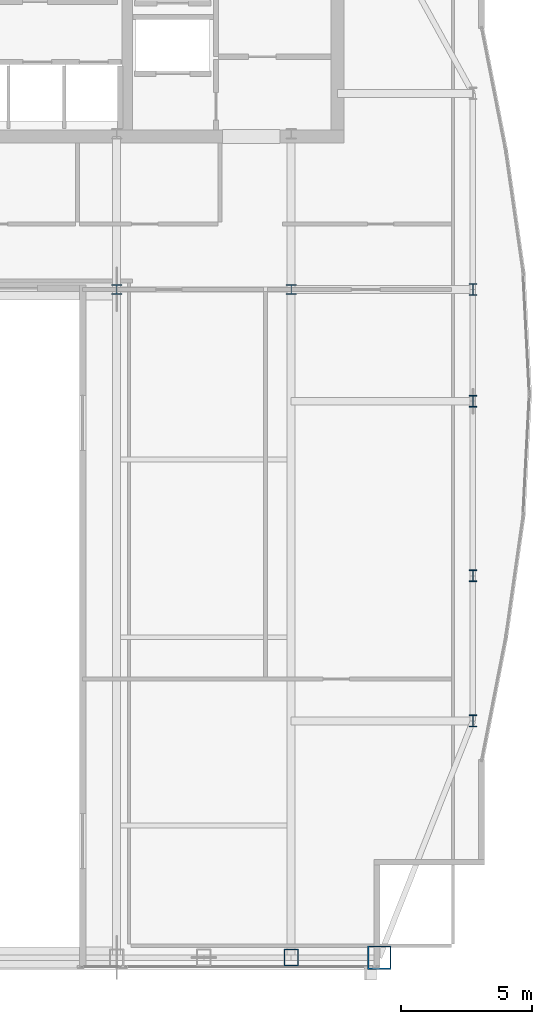
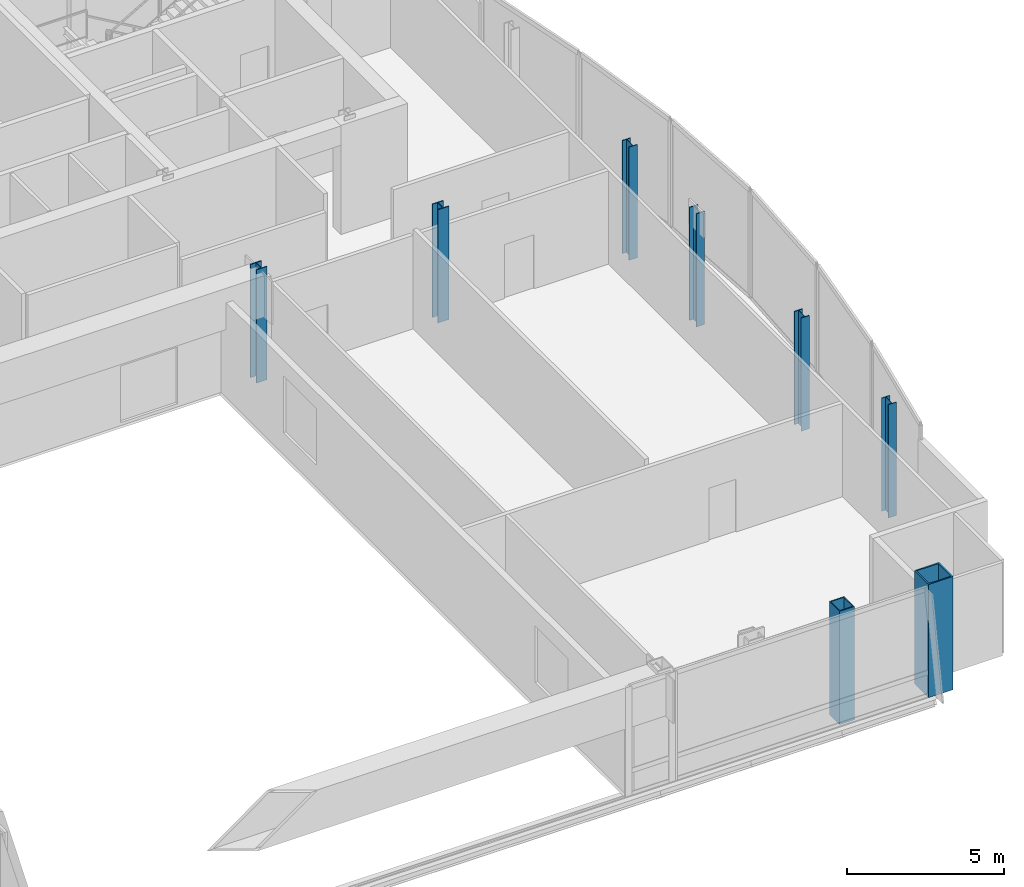
# One storey, part 2 of 27: 8 columns.
"""IFC4 building model written with IfcOpenShell, lengths in metres."""

from ifc_helpers import new_model, si_unit, direction, frame, origin, origin_2d, place, context, subcontext, project, spatial, hollow_rectangle, i_section, extrude, material, material_profile, profile_set, type_object, element, save


model = new_model("IFC4")

# Units and contexts
model_context = context("Model", 3, precision=1e-05, world=origin(), true_north=direction((0.0, 1.0)))
body_context = subcontext(model_context, "Body", "Model", "MODEL_VIEW")
ifc_project = project(units=[si_unit("LENGTHUNIT", "METRE"), si_unit("AREAUNIT", "SQUARE_METRE"), si_unit("VOLUMEUNIT", "CUBIC_METRE"), si_unit("PLANEANGLEUNIT", "RADIAN"), si_unit("MASSUNIT", "GRAM", prefix="KILO")], contexts=[model_context])

# Site, building, storey
site_placement = place(None, origin())
site = spatial("IfcSite", under=ifc_project, at=site_placement, CompositionType="ELEMENT")
building_placement = place(site_placement, origin())
building = spatial("IfcBuilding", under=site, at=building_placement, Name="Khoronbel Lancet Exchange", CompositionType="ELEMENT")
storey_placement = place(building_placement, frame((0.0, 0.0, 310.199951171875)))
storey = spatial("IfcBuildingStorey", under=building, at=storey_placement, Name="L80", CompositionType="ELEMENT", Elevation=310.199951171875)

# Columns
ifc_material_1 = material(Name="Steel S460", Category="steel")
ifc_material_profile_1 = material_profile(ifc_material_1, hollow_rectangle(XDim=0.550048828125, YDim=0.64990234375, WallThickness=0.0400390625, at=origin_2d()), Name="BOX 650x550x40")
ifc_profile_set_1 = profile_set([ifc_material_profile_1], Name="Steel S460")
column_type_1 = type_object("IfcColumnType", Name="COL-EC4", PredefinedType="COLUMN", material=ifc_profile_set_1)
column_1_placement = place(storey_placement, frame((54.675048828125, 10.14990234375, 0.0), z_axis=(0.0, 0.0, 1.0), x_axis=(1.0, 0.0, 0.0)))
element("IfcColumn", 1, at=column_1_placement, inside=storey, type_object=column_type_1, Name="Structural column SC-E2 L80", PredefinedType="COLUMN", context=body_context, shape_type="SweptSolid", body=[
    extrude(hollow_rectangle(XDim=0.550048828125, YDim=0.64990234375, WallThickness=0.0400390625, at=origin_2d()), origin(), (0.0, 0.0, 1.0), 4.400146484375),
])
ifc_material_2 = material(Name="Steel S355", Category="steel")
ifc_material_profile_2 = material_profile(ifc_material_2, i_section(OverallWidth=0.39892578125, OverallDepth=0.39306640625, WebThickness=0.022705078125, FlangeThickness=0.03662109375, at=origin_2d()), Name="HD 400x287")
ifc_profile_set_2 = profile_set([ifc_material_profile_2], Name="Steel S355")
column_type_2 = type_object("IfcColumnType", Name="COL-IC4", PredefinedType="COLUMN", material=ifc_profile_set_2)
for number, where, z_axis, x_axis, name in (
    (2, (48.0, 35.699951171875, 0.0), (0.0, 0.0, 1.0), (1.0, 0.0, 0.0), "Spine gravity column TC3 L80"),
    (3, (54.675048828125, 35.699951171875, 0.0), (0.0, 0.0, 1.0), (1.0, 0.0, 0.0), "Spine gravity column TC4 L80"),
):
    element("IfcColumn", number, at=place(storey_placement, frame(where, z_axis=z_axis, x_axis=x_axis)), inside=storey, type_object=column_type_2, Name=name, PredefinedType="COLUMN", context=body_context, shape_type="SweptSolid", body=[
        extrude(i_section(OverallWidth=0.39892578125, OverallDepth=0.39306640625, WebThickness=0.022705078125, FlangeThickness=0.03662109375, at=origin_2d()), origin(), (0.0, 0.0, 1.0), 4.400146484375),
    ])
ifc_material_profile_3 = material_profile(ifc_material_2, i_section(OverallWidth=0.300048828125, OverallDepth=0.449951171875, WebThickness=0.013916015625, FlangeThickness=0.02587890625, at=origin_2d()), Name="HEB 450")
ifc_profile_set_3 = profile_set([ifc_material_profile_3], Name="Steel S355")
column_type_3 = type_object("IfcColumnType", Name="COL-LC2", PredefinedType="COLUMN", material=ifc_profile_set_3)
for number, where, z_axis, x_axis, name in (
    (4, (61.6298828125, 19.199951171875, 0.0), (0.0, 0.0, 1.0), (1.0, 0.0, 0.0), "Structural column EC-1 L80"),
    (5, (61.6298828125, 24.75, 0.0), (0.0, 0.0, 1.0), (1.0, 0.0, 0.0), "Structural column EC-2 L80"),
    (6, (61.6298828125, 31.425048828125, 0.0), (0.0, 0.0, 1.0), (1.0, 0.0, 0.0), "Structural column EC-M L80"),
    (7, (61.6298828125, 35.699951171875, 0.0), (0.0, 0.0, 1.0), (1.0, 0.0, 0.0), "Structural column EC-3 L80"),
):
    element("IfcColumn", number, at=place(storey_placement, frame(where, z_axis=z_axis, x_axis=x_axis)), inside=storey, type_object=column_type_3, Name=name, PredefinedType="COLUMN", context=body_context, shape_type="SweptSolid", body=[
        extrude(i_section(OverallWidth=0.300048828125, OverallDepth=0.449951171875, WebThickness=0.013916015625, FlangeThickness=0.02587890625, at=origin_2d()), origin(), (0.0, 0.0, 1.0), 4.400146484375),
    ])
ifc_material_profile_4 = material_profile(ifc_material_1, hollow_rectangle(XDim=0.89990234375, YDim=0.89990234375, WallThickness=0.050048828125, at=origin_2d()), Name="BOX 900x900x50")
ifc_profile_set_4 = profile_set([ifc_material_profile_4], Name="Steel S460")
column_type_4 = type_object("IfcColumnType", Name="COL-MC7", PredefinedType="COLUMN", material=ifc_profile_set_4)
column_2_placement = place(storey_placement, frame((58.050048828125, 10.14990234375, 0.0), z_axis=(0.0, 0.0, 1.0), x_axis=(1.0, 0.0, 0.0)))
element("IfcColumn", 8, at=column_2_placement, inside=storey, type_object=column_type_4, Name="Structural column MC-SE L80", PredefinedType="COLUMN", context=body_context, shape_type="SweptSolid", body=[
    extrude(hollow_rectangle(XDim=0.89990234375, YDim=0.89990234375, WallThickness=0.050048828125, at=origin_2d()), origin(), (0.0, 0.0, 1.0), 4.400146484375),
])

save(model, "model.ifc")
